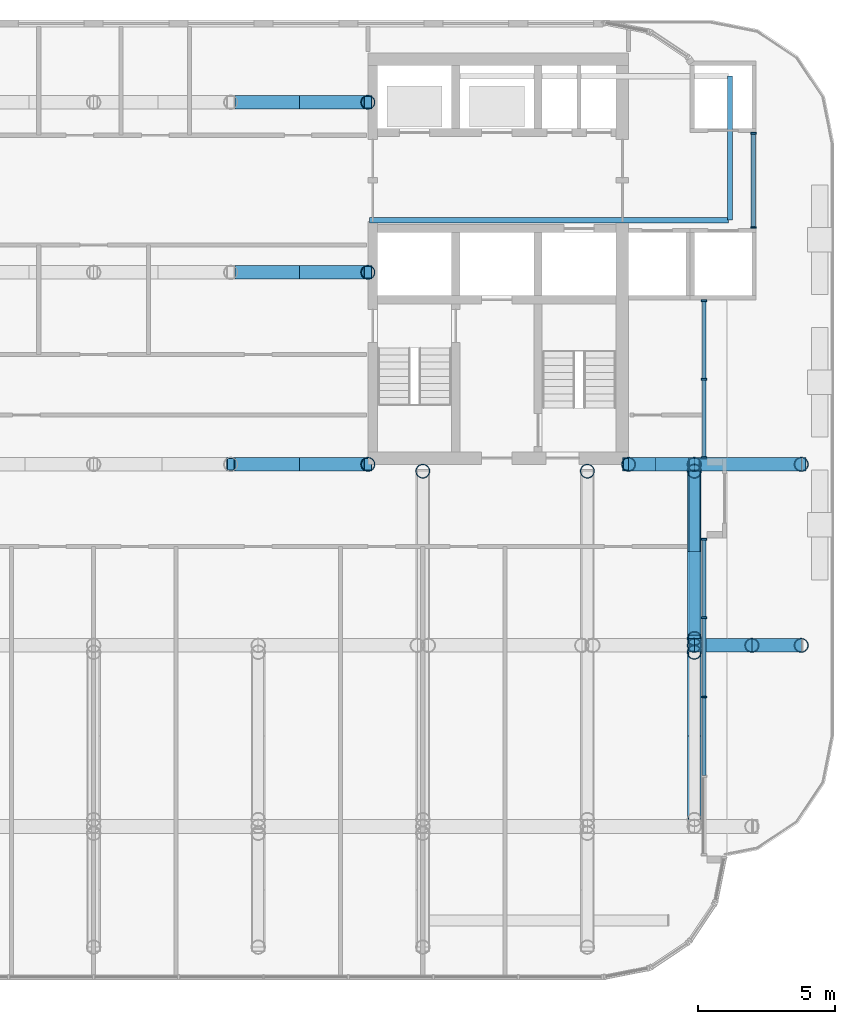
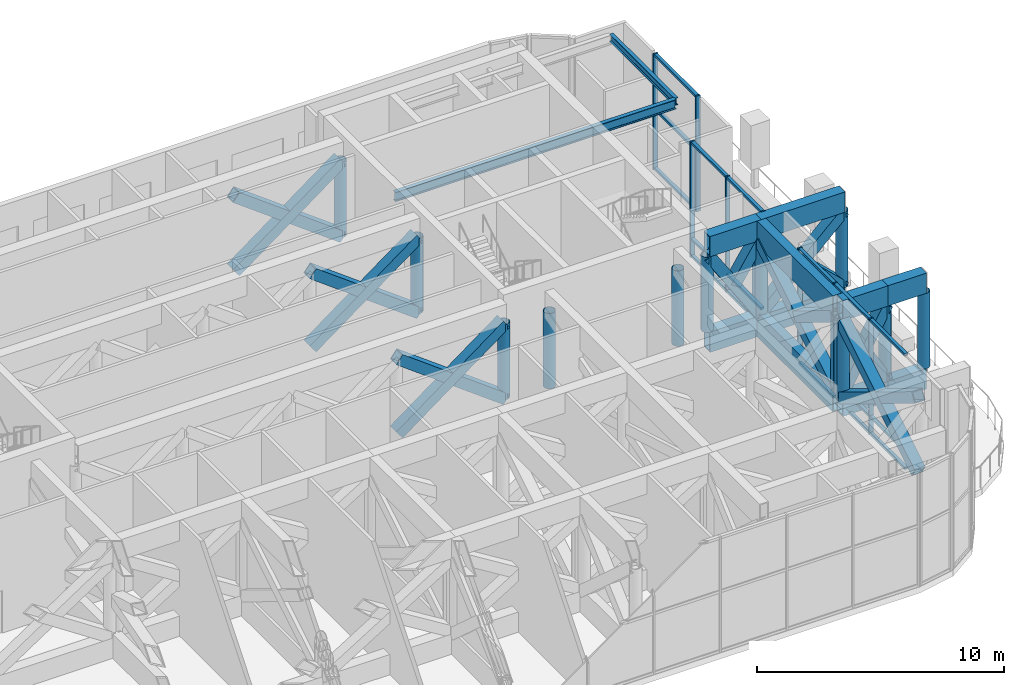
# One storey, part 6 of 21: 56 members, 12 beams, 3 elements without a shape of their own.
"""IFC4 building model written with IfcOpenShell, lengths in metres."""

from ifc_helpers import new_model, si_unit, direction, frame, origin, origin_2d, place, context, subcontext, project, spatial, rectangle, hollow_rectangle, hollow_circle, i_section, extrude, material, layer, layer_set, material_profile, profile_set, type_object, element, aggregate, save


model = new_model("IFC4")

# Units and contexts
model_context = context("Model", 3, precision=1e-05, world=origin(), true_north=direction((0.0, 1.0)))
body_context = subcontext(model_context, "Body", "Model", "MODEL_VIEW")
ifc_project = project(units=[si_unit("LENGTHUNIT", "METRE"), si_unit("AREAUNIT", "SQUARE_METRE"), si_unit("VOLUMEUNIT", "CUBIC_METRE"), si_unit("PLANEANGLEUNIT", "RADIAN"), si_unit("MASSUNIT", "GRAM", prefix="KILO")], contexts=[model_context])

# Site, building, storey
site_placement = place(None, origin())
site = spatial("IfcSite", under=ifc_project, at=site_placement, CompositionType="ELEMENT")
building_placement = place(site_placement, origin())
building = spatial("IfcBuilding", under=site, at=building_placement, Name="Torana Hotel and Residences", CompositionType="ELEMENT")
storey_placement = place(building_placement, frame((0.0, 0.0, 246.60009765625)))
storey = spatial("IfcBuildingStorey", under=building, at=storey_placement, Name="L65", CompositionType="ELEMENT", Elevation=246.60009765625)

# Beams
ifc_material_1 = material(Name="Steel S355", Category="steel")
ifc_material_profile_1 = material_profile(ifc_material_1, i_section(OverallWidth=0.19287109375, OverallDepth=0.46728515625, WebThickness=0.011474609375, FlangeThickness=0.01953125, FilletRadius=0.01025390625, at=origin_2d()), Name="457x191x98 UB")
ifc_profile_set_1 = profile_set([ifc_material_profile_1], Name="Steel S355")
beam_type_1 = type_object("IfcBeamType", Name="BALCONY CANTILEVER BEAM 457x191x98 UB", PredefinedType="BEAM", material=ifc_profile_set_1)
beam_1_placement = place(storey_placement, frame((23.1484375, -6.10009765625, 5.486328125), z_axis=(-1.0, 0.0, 0.0), x_axis=(0.0, -1.0, 0.0)))
element("IfcBeam", 1, at=beam_1_placement, inside=storey, type_object=beam_type_1, Name="Balcony cantilever beam", PredefinedType="BEAM", context=body_context, shape_type="SweptSolid", body=[
    extrude(i_section(OverallWidth=0.19287109375, OverallDepth=0.46728515625, WebThickness=0.011474609375, FlangeThickness=0.01953125, FilletRadius=0.01025390625, at=origin_2d()), origin(), (0.0, 0.0, 1.0), 13.098388671875),
])
ifc_material_2 = material(Name="Steel S355", Category="steel")
ifc_material_profile_2 = material_profile(ifc_material_2, i_section(OverallWidth=0.173095703125, OverallDepth=0.36328125, WebThickness=0.009033203125, FlangeThickness=0.015625, FilletRadius=0.01025390625, at=origin_2d()), Name="356x171x67 UB")
ifc_profile_set_2 = profile_set([ifc_material_profile_2], Name="Steel S355")
beam_type_2 = type_object("IfcBeamType", Name="BALCONY TIP BEAM 356x171x67 UB", PredefinedType="BEAM", material=ifc_profile_set_2)
beam_2_placement = place(storey_placement, frame((23.205078125, -6.10009765625, 5.5380859375), z_axis=(0.0, 1.0, 0.0), x_axis=(-1.0, 0.0, 0.0)))
element("IfcBeam", 2, at=beam_2_placement, inside=storey, type_object=beam_type_2, Name="Balcony tip beam", PredefinedType="BEAM", context=body_context, shape_type="SweptSolid", body=[
    extrude(i_section(OverallWidth=0.173095703125, OverallDepth=0.36328125, WebThickness=0.009033203125, FlangeThickness=0.015625, FilletRadius=0.01025390625, at=origin_2d()), origin(), (0.0, 0.0, 1.0), 5.25),
])

# Curtain wall, members
ifc_material_3 = material(Name="Dark anodised aluminium", Category="aluminium")
ifc_layer = layer(ifc_material_3, 0.199951171875)
ifc_layer_set = layer_set([ifc_layer], Name="CW2 SKY LOBBY UNITISED CURTAIN WALL")
curtain_wall_type = type_object("IfcCurtainWallType", Name="CW2 SKY LOBBY UNITISED CURTAIN WALL", PredefinedType="NOTDEFINED", material=ifc_layer_set)
curtain_wall_1_placement = place(storey_placement, origin())
curtain_wall_1 = element("IfcCurtainWall", 3, at=curtain_wall_1_placement, inside=storey, type_object=curtain_wall_type, Name="Curtain wall CW2 L65 e0.14-1", PredefinedType="NOTDEFINED")
ifc_material_4 = material(Name="Dark anodised aluminium", Category="aluminium")
ifc_material_profile_3 = material_profile(ifc_material_4, rectangle(XDim=0.199951171875, YDim=0.070068359375, at=origin_2d()), Name="CW2 MULLION 70x200")
ifc_profile_set_3 = profile_set([ifc_material_profile_3], Name="Dark anodised aluminium")
member_type_1 = type_object("IfcMemberType", Name="CW2 MULLION 70x200", PredefinedType="MULLION", material=ifc_profile_set_3)
member_1_placement = place(storey_placement, frame((22.2548828125, -23.482421875, 0.0), z_axis=(0.0, 0.0, 1.0), x_axis=(-1.0, 0.0, 0.0)))
member_1 = element("IfcMember", 4, at=member_1_placement, type_object=member_type_1, Name="CW2 mullion 3", PredefinedType="MULLION", context=body_context, shape_type="SweptSolid", body=[
    extrude(rectangle(XDim=0.199951171875, YDim=0.070068359375, at=origin_2d()), origin(), (0.0, 0.0, 1.0), 5.719970703125),
])
member_2_placement = place(storey_placement, frame((22.2548828125, -20.5859375, 0.0), z_axis=(0.0, 0.0, 1.0), x_axis=(-1.0, 0.0, 0.0)))
member_2 = element("IfcMember", 5, at=member_2_placement, type_object=member_type_1, Name="CW2 mullion 4", PredefinedType="MULLION", context=body_context, shape_type="SweptSolid", body=[
    extrude(rectangle(XDim=0.199951171875, YDim=0.070068359375, at=origin_2d()), origin(), (0.0, 0.0, 1.0), 5.719970703125),
])
member_3_placement = place(storey_placement, frame((22.2548828125, -17.724365234375, 0.0), z_axis=(0.0, 0.0, 1.0), x_axis=(-1.0, 0.0, 0.0)))
member_3 = element("IfcMember", 6, at=member_3_placement, type_object=member_type_1, Name="CW2 mullion 5", PredefinedType="MULLION", context=body_context, shape_type="SweptSolid", body=[
    extrude(rectangle(XDim=0.199951171875, YDim=0.070068359375, at=origin_2d()), origin(), (0.0, 0.0, 1.0), 5.719970703125),
])

curtain_wall_2_placement = place(storey_placement, origin())
curtain_wall_2 = element("IfcCurtainWall", 7, at=curtain_wall_2_placement, inside=storey, type_object=curtain_wall_type, Name="Curtain wall CW2 L65 e0.14-2", PredefinedType="NOTDEFINED")
member_4_placement = place(storey_placement, frame((22.2548828125, -14.758056640625, 0.0), z_axis=(0.0, 0.0, 1.0), x_axis=(-1.0, 0.0, 0.0)))
member_4 = element("IfcMember", 8, at=member_4_placement, type_object=member_type_1, Name="CW2 mullion 1", PredefinedType="MULLION", context=body_context, shape_type="SweptSolid", body=[
    extrude(rectangle(XDim=0.199951171875, YDim=0.070068359375, at=origin_2d()), origin(), (0.0, 0.0, 1.0), 5.719970703125),
])
member_5_placement = place(storey_placement, frame((22.2548828125, -11.896484375, 0.0), z_axis=(0.0, 0.0, 1.0), x_axis=(-1.0, 0.0, 0.0)))
member_5 = element("IfcMember", 9, at=member_5_placement, type_object=member_type_1, Name="CW2 mullion 2", PredefinedType="MULLION", context=body_context, shape_type="SweptSolid", body=[
    extrude(rectangle(XDim=0.199951171875, YDim=0.070068359375, at=origin_2d()), origin(), (0.0, 0.0, 1.0), 5.719970703125),
])
member_6_placement = place(storey_placement, frame((22.2548828125, -9.034912109375, 0.0), z_axis=(0.0, 0.0, 1.0), x_axis=(-1.0, 0.0, 0.0)))
member_6 = element("IfcMember", 10, at=member_6_placement, type_object=member_type_1, Name="CW2 mullion 3", PredefinedType="MULLION", context=body_context, shape_type="SweptSolid", body=[
    extrude(rectangle(XDim=0.199951171875, YDim=0.070068359375, at=origin_2d()), origin(), (0.0, 0.0, 1.0), 5.719970703125),
])

curtain_wall_3_placement = place(storey_placement, origin())
curtain_wall_3 = element("IfcCurtainWall", 11, at=curtain_wall_3_placement, inside=storey, type_object=curtain_wall_type, Name="Curtain wall CW2 L65 e0.16", PredefinedType="NOTDEFINED")
member_7_placement = place(storey_placement, frame((24.050048828125, -6.364990234375, 0.0), z_axis=(0.0, 0.0, 1.0), x_axis=(-1.0, 0.0, 0.0)))
member_7 = element("IfcMember", 12, at=member_7_placement, type_object=member_type_1, Name="CW2 mullion 1", PredefinedType="MULLION", context=body_context, shape_type="SweptSolid", body=[
    extrude(rectangle(XDim=0.199951171875, YDim=0.070068359375, at=origin_2d()), origin(), (0.0, 0.0, 1.0), 5.719970703125),
])
member_8_placement = place(storey_placement, frame((24.050048828125, -2.93505859375, 0.0), z_axis=(0.0, 0.0, 1.0), x_axis=(-1.0, 0.0, 0.0)))
member_8 = element("IfcMember", 13, at=member_8_placement, type_object=member_type_1, Name="CW2 mullion 2", PredefinedType="MULLION", context=body_context, shape_type="SweptSolid", body=[
    extrude(rectangle(XDim=0.199951171875, YDim=0.070068359375, at=origin_2d()), origin(), (0.0, 0.0, 1.0), 5.719970703125),
])

# Member
ifc_material_5 = material(Name="Dark anodised aluminium", Category="aluminium")
ifc_material_profile_4 = material_profile(ifc_material_5, rectangle(XDim=0.14990234375, YDim=0.1201171875, at=origin_2d()), Name="CW2 TRANSOM 150x120")
ifc_profile_set_4 = profile_set([ifc_material_profile_4], Name="Dark anodised aluminium")
member_type_2 = type_object("IfcMemberType", Name="CW2 TRANSOM 150x120", PredefinedType="USERDEFINED", material=ifc_profile_set_4)
member_9_placement = place(storey_placement, frame((22.2548828125, -26.343994140625, 0.059814453125), z_axis=(0.0, 1.0, 0.0), x_axis=(-1.0, 0.0, 0.0)))
member_9 = element("IfcMember", 14, at=member_9_placement, type_object=member_type_2, Name="CW2 transom 2.1", ObjectType="TRANSOM", PredefinedType="USERDEFINED", context=body_context, shape_type="SweptSolid", body=[
    extrude(rectangle(XDim=0.14990234375, YDim=0.1201171875, at=origin_2d()), origin(), (0.0, 0.0, 1.0), 2.82666015625),
])

member_10_placement = place(storey_placement, frame((22.2548828125, -26.343994140625, 0.89990234375), z_axis=(0.0, 1.0, 0.0), x_axis=(-1.0, 0.0, 0.0)))
member_10 = element("IfcMember", 15, at=member_10_placement, type_object=member_type_2, Name="CW2 transom 2.2", ObjectType="TRANSOM", PredefinedType="USERDEFINED", context=body_context, shape_type="SweptSolid", body=[
    extrude(rectangle(XDim=0.14990234375, YDim=0.1201171875, at=origin_2d()), origin(), (0.0, 0.0, 1.0), 2.82666015625),
])

member_11_placement = place(storey_placement, frame((22.2548828125, -26.343994140625, 5.659912109375), z_axis=(0.0, 1.0, 0.0), x_axis=(-1.0, 0.0, 0.0)))
member_11 = element("IfcMember", 16, at=member_11_placement, type_object=member_type_2, Name="CW2 transom 2.3", ObjectType="TRANSOM", PredefinedType="USERDEFINED", context=body_context, shape_type="SweptSolid", body=[
    extrude(rectangle(XDim=0.14990234375, YDim=0.1201171875, at=origin_2d()), origin(), (0.0, 0.0, 1.0), 2.82666015625),
])

member_12_placement = place(storey_placement, frame((22.2548828125, -23.447509765625, 0.059814453125), z_axis=(0.0, 1.0, 0.0), x_axis=(-1.0, 0.0, 0.0)))
member_12 = element("IfcMember", 17, at=member_12_placement, type_object=member_type_2, Name="CW2 transom 3.1", ObjectType="TRANSOM", PredefinedType="USERDEFINED", context=body_context, shape_type="SweptSolid", body=[
    extrude(rectangle(XDim=0.14990234375, YDim=0.1201171875, at=origin_2d()), origin(), (0.0, 0.0, 1.0), 2.82666015625),
])

member_13_placement = place(storey_placement, frame((22.2548828125, -23.447509765625, 0.89990234375), z_axis=(0.0, 1.0, 0.0), x_axis=(-1.0, 0.0, 0.0)))
member_13 = element("IfcMember", 18, at=member_13_placement, type_object=member_type_2, Name="CW2 transom 3.2", ObjectType="TRANSOM", PredefinedType="USERDEFINED", context=body_context, shape_type="SweptSolid", body=[
    extrude(rectangle(XDim=0.14990234375, YDim=0.1201171875, at=origin_2d()), origin(), (0.0, 0.0, 1.0), 2.82666015625),
])

member_14_placement = place(storey_placement, frame((22.2548828125, -23.447509765625, 5.659912109375), z_axis=(0.0, 1.0, 0.0), x_axis=(-1.0, 0.0, 0.0)))
member_14 = element("IfcMember", 19, at=member_14_placement, type_object=member_type_2, Name="CW2 transom 3.3", ObjectType="TRANSOM", PredefinedType="USERDEFINED", context=body_context, shape_type="SweptSolid", body=[
    extrude(rectangle(XDim=0.14990234375, YDim=0.1201171875, at=origin_2d()), origin(), (0.0, 0.0, 1.0), 2.82666015625),
])

member_15_placement = place(storey_placement, frame((22.2548828125, -20.55078125, 0.059814453125), z_axis=(0.0, 1.0, 0.0), x_axis=(-1.0, 0.0, 0.0)))
member_15 = element("IfcMember", 20, at=member_15_placement, type_object=member_type_2, Name="CW2 transom 4.1", ObjectType="TRANSOM", PredefinedType="USERDEFINED", context=body_context, shape_type="SweptSolid", body=[
    extrude(rectangle(XDim=0.14990234375, YDim=0.1201171875, at=origin_2d()), origin(), (0.0, 0.0, 1.0), 2.791259765625),
])

member_16_placement = place(storey_placement, frame((22.2548828125, -20.55078125, 0.89990234375), z_axis=(0.0, 1.0, 0.0), x_axis=(-1.0, 0.0, 0.0)))
member_16 = element("IfcMember", 21, at=member_16_placement, type_object=member_type_2, Name="CW2 transom 4.2", ObjectType="TRANSOM", PredefinedType="USERDEFINED", context=body_context, shape_type="SweptSolid", body=[
    extrude(rectangle(XDim=0.14990234375, YDim=0.1201171875, at=origin_2d()), origin(), (0.0, 0.0, 1.0), 2.791259765625),
])

member_17_placement = place(storey_placement, frame((22.2548828125, -20.55078125, 5.659912109375), z_axis=(0.0, 1.0, 0.0), x_axis=(-1.0, 0.0, 0.0)))
member_17 = element("IfcMember", 22, at=member_17_placement, type_object=member_type_2, Name="CW2 transom 4.3", ObjectType="TRANSOM", PredefinedType="USERDEFINED", context=body_context, shape_type="SweptSolid", body=[
    extrude(rectangle(XDim=0.14990234375, YDim=0.1201171875, at=origin_2d()), origin(), (0.0, 0.0, 1.0), 2.791259765625),
])

aggregate(curtain_wall_1, [member_1, member_2, member_3, member_9, member_10, member_11, member_12, member_13, member_14, member_15, member_16, member_17])

member_18_placement = place(storey_placement, frame((22.2548828125, -14.722900390625, 0.059814453125), z_axis=(0.0, 1.0, 0.0), x_axis=(-1.0, 0.0, 0.0)))
member_18 = element("IfcMember", 23, at=member_18_placement, type_object=member_type_2, Name="CW2 transom 1.1", ObjectType="TRANSOM", PredefinedType="USERDEFINED", context=body_context, shape_type="SweptSolid", body=[
    extrude(rectangle(XDim=0.14990234375, YDim=0.1201171875, at=origin_2d()), origin(), (0.0, 0.0, 1.0), 2.79150390625),
])

member_19_placement = place(storey_placement, frame((22.2548828125, -14.722900390625, 0.89990234375), z_axis=(0.0, 1.0, 0.0), x_axis=(-1.0, 0.0, 0.0)))
member_19 = element("IfcMember", 24, at=member_19_placement, type_object=member_type_2, Name="CW2 transom 1.2", ObjectType="TRANSOM", PredefinedType="USERDEFINED", context=body_context, shape_type="SweptSolid", body=[
    extrude(rectangle(XDim=0.14990234375, YDim=0.1201171875, at=origin_2d()), origin(), (0.0, 0.0, 1.0), 2.79150390625),
])

member_20_placement = place(storey_placement, frame((22.2548828125, -14.722900390625, 5.659912109375), z_axis=(0.0, 1.0, 0.0), x_axis=(-1.0, 0.0, 0.0)))
member_20 = element("IfcMember", 25, at=member_20_placement, type_object=member_type_2, Name="CW2 transom 1.3", ObjectType="TRANSOM", PredefinedType="USERDEFINED", context=body_context, shape_type="SweptSolid", body=[
    extrude(rectangle(XDim=0.14990234375, YDim=0.1201171875, at=origin_2d()), origin(), (0.0, 0.0, 1.0), 2.79150390625),
])

member_21_placement = place(storey_placement, frame((22.2548828125, -11.861572265625, 0.059814453125), z_axis=(0.0, 1.0, 0.0), x_axis=(-1.0, 0.0, 0.0)))
member_21 = element("IfcMember", 26, at=member_21_placement, type_object=member_type_2, Name="CW2 transom 2.1", ObjectType="TRANSOM", PredefinedType="USERDEFINED", context=body_context, shape_type="SweptSolid", body=[
    extrude(rectangle(XDim=0.14990234375, YDim=0.1201171875, at=origin_2d()), origin(), (0.0, 0.0, 1.0), 2.79150390625),
])

member_22_placement = place(storey_placement, frame((22.2548828125, -11.861572265625, 0.89990234375), z_axis=(0.0, 1.0, 0.0), x_axis=(-1.0, 0.0, 0.0)))
member_22 = element("IfcMember", 27, at=member_22_placement, type_object=member_type_2, Name="CW2 transom 2.2", ObjectType="TRANSOM", PredefinedType="USERDEFINED", context=body_context, shape_type="SweptSolid", body=[
    extrude(rectangle(XDim=0.14990234375, YDim=0.1201171875, at=origin_2d()), origin(), (0.0, 0.0, 1.0), 2.79150390625),
])

member_23_placement = place(storey_placement, frame((22.2548828125, -11.861572265625, 5.659912109375), z_axis=(0.0, 1.0, 0.0), x_axis=(-1.0, 0.0, 0.0)))
member_23 = element("IfcMember", 28, at=member_23_placement, type_object=member_type_2, Name="CW2 transom 2.3", ObjectType="TRANSOM", PredefinedType="USERDEFINED", context=body_context, shape_type="SweptSolid", body=[
    extrude(rectangle(XDim=0.14990234375, YDim=0.1201171875, at=origin_2d()), origin(), (0.0, 0.0, 1.0), 2.79150390625),
])

aggregate(curtain_wall_2, [member_4, member_5, member_6, member_18, member_19, member_20, member_21, member_22, member_23])

member_24_placement = place(storey_placement, frame((24.050048828125, -6.330078125, 0.059814453125), z_axis=(0.0, 1.0, 0.0), x_axis=(-1.0, 0.0, 0.0)))
member_24 = element("IfcMember", 29, at=member_24_placement, type_object=member_type_2, Name="CW2 transom 1.1", ObjectType="TRANSOM", PredefinedType="USERDEFINED", context=body_context, shape_type="SweptSolid", body=[
    extrude(rectangle(XDim=0.14990234375, YDim=0.1201171875, at=origin_2d()), origin(), (0.0, 0.0, 1.0), 3.360107421875),
])

member_25_placement = place(storey_placement, frame((24.050048828125, -6.330078125, 3.0), z_axis=(0.0, 1.0, 0.0), x_axis=(-1.0, 0.0, 0.0)))
member_25 = element("IfcMember", 30, at=member_25_placement, type_object=member_type_2, Name="CW2 transom 1.2", ObjectType="TRANSOM", PredefinedType="USERDEFINED", context=body_context, shape_type="SweptSolid", body=[
    extrude(rectangle(XDim=0.14990234375, YDim=0.1201171875, at=origin_2d()), origin(), (0.0, 0.0, 1.0), 3.360107421875),
])

member_26_placement = place(storey_placement, frame((24.050048828125, -6.330078125, 5.659912109375), z_axis=(0.0, 1.0, 0.0), x_axis=(-1.0, 0.0, 0.0)))
member_26 = element("IfcMember", 31, at=member_26_placement, type_object=member_type_2, Name="CW2 transom 1.3", ObjectType="TRANSOM", PredefinedType="USERDEFINED", context=body_context, shape_type="SweptSolid", body=[
    extrude(rectangle(XDim=0.14990234375, YDim=0.1201171875, at=origin_2d()), origin(), (0.0, 0.0, 1.0), 3.360107421875),
])

aggregate(curtain_wall_3, [member_7, member_8, member_24, member_25, member_26])

# Beams
ifc_material_6 = material(Name="Steel S355", Category="steel")
ifc_material_profile_5 = material_profile(ifc_material_6, hollow_rectangle(XDim=0.5, YDim=1.0, WallThickness=0.050048828125, at=origin_2d()), Name="BOX 1000x500x50")
ifc_profile_set_5 = profile_set([ifc_material_profile_5], Name="Steel S355")
beam_type_3 = type_object("IfcBeamType", Name="STEEL CHORD BOX 1000x500x50", PredefinedType="BEAM", material=ifc_profile_set_5)
for number, where, z_axis, x_axis, name in (
    (32, (21.89990234375, -21.60009765625, 0.5), (1.0, 0.0, 0.0), (0.0, 1.0, 0.0), "Transfer chord L65"),
    (33, (21.89990234375, -21.60009765625, 5.219970703125), (1.0, 0.0, 0.0), (0.0, 1.0, 0.0), "Transfer chord L65"),
):
    element("IfcBeam", number, at=place(storey_placement, frame(where, z_axis=z_axis, x_axis=x_axis)), inside=storey, type_object=beam_type_3, Name=name, PredefinedType="BEAM", context=body_context, shape_type="SweptSolid", body=[
        extrude(hollow_rectangle(XDim=0.5, YDim=1.0, WallThickness=0.050048828125, at=origin_2d()), origin(), (0.0, 0.0, 1.0), 2.10009765625),
    ])
for number, where, z_axis, x_axis, name in (
    (34, (24.0, -21.60009765625, 0.5), (1.0, 0.0, 0.0), (0.0, 1.0, 0.0), "Transfer chord L65"),
    (35, (24.0, -21.60009765625, 5.219970703125), (1.0, 0.0, 0.0), (0.0, 1.0, 0.0), "Transfer chord L65"),
):
    element("IfcBeam", number, at=place(storey_placement, frame(where, z_axis=z_axis, x_axis=x_axis)), inside=storey, type_object=beam_type_3, Name=name, PredefinedType="BEAM", context=body_context, shape_type="SweptSolid", body=[
        extrude(hollow_rectangle(XDim=0.5, YDim=1.0, WallThickness=0.050048828125, at=origin_2d()), origin(), (0.0, 0.0, 1.0), 1.800048828125),
    ])
for number, where, z_axis, x_axis, name in (
    (36, (19.5, -15.0, 0.5), (1.0, 0.0, 0.0), (0.0, 1.0, 0.0), "Transfer chord L65"),
    (37, (19.5, -15.0, 5.219970703125), (1.0, 0.0, 0.0), (0.0, 1.0, 0.0), "Transfer chord L65"),
):
    element("IfcBeam", number, at=place(storey_placement, frame(where, z_axis=z_axis, x_axis=x_axis)), inside=storey, type_object=beam_type_3, Name=name, PredefinedType="BEAM", context=body_context, shape_type="SweptSolid", body=[
        extrude(hollow_rectangle(XDim=0.5, YDim=1.0, WallThickness=0.050048828125, at=origin_2d()), origin(), (0.0, 0.0, 1.0), 2.39990234375),
    ])
for number, where, z_axis, x_axis, name in (
    (38, (21.89990234375, -15.0, 0.5), (1.0, 0.0, 0.0), (0.0, 1.0, 0.0), "Transfer chord L65"),
    (39, (21.89990234375, -15.0, 5.219970703125), (1.0, 0.0, 0.0), (0.0, 1.0, 0.0), "Transfer chord L65"),
):
    element("IfcBeam", number, at=place(storey_placement, frame(where, z_axis=z_axis, x_axis=x_axis)), inside=storey, type_object=beam_type_3, Name=name, PredefinedType="BEAM", context=body_context, shape_type="SweptSolid", body=[
        extrude(hollow_rectangle(XDim=0.5, YDim=1.0, WallThickness=0.050048828125, at=origin_2d()), origin(), (0.0, 0.0, 1.0), 3.900146484375),
    ])
ifc_material_7 = material(Name="Steel S355", Category="steel")
ifc_material_profile_6 = material_profile(ifc_material_7, hollow_rectangle(XDim=0.39990234375, YDim=1.199951171875, WallThickness=0.0400390625, at=origin_2d()), Name="BOX 1200x400x40")
ifc_profile_set_6 = profile_set([ifc_material_profile_6], Name="Steel S355")
beam_type_4 = type_object("IfcBeamType", Name="STEEL CHORD BOX 1200x400x40", PredefinedType="BEAM", material=ifc_profile_set_6)
for number, where, z_axis, x_axis, name in (
    (40, (21.89990234375, -21.35009765625, 0.599853515625), (0.0, 1.0, 0.0), (-1.0, 0.0, 0.0), "Transfer chord L65"),
    (41, (21.89990234375, -21.35009765625, 5.119873046875), (0.0, 1.0, 0.0), (-1.0, 0.0, 0.0), "Transfer chord L65"),
):
    element("IfcBeam", number, at=place(storey_placement, frame(where, z_axis=z_axis, x_axis=x_axis)), inside=storey, type_object=beam_type_4, Name=name, PredefinedType="BEAM", context=body_context, shape_type="SweptSolid", body=[
        extrude(hollow_rectangle(XDim=0.39990234375, YDim=1.199951171875, WallThickness=0.0400390625, at=origin_2d()), origin(), (0.0, 0.0, 1.0), 6.10009765625),
    ])

# Members
ifc_material_8 = material(Name="Steel S355", Category="steel")
ifc_material_profile_7 = material_profile(ifc_material_8, hollow_rectangle(XDim=0.5, YDim=0.5, WallThickness=0.0400390625, at=origin_2d()), Name="BOX 500x500x40")
ifc_profile_set_7 = profile_set([ifc_material_profile_7], Name="Steel S355")
member_type_3 = type_object("IfcMemberType", Name="STEEL DIAGONAL BOX 500x500x40", PredefinedType="BRACE", material=ifc_profile_set_7)
for number, where, z_axis, x_axis, name in (
    (42, (5.0, -15.0, 1.0), (0.802306956603, 0.0, 0.596911674695), (0.0, 1.0, 0.0), "Truss diagonal L65"),
    (43, (10.0, -15.0, 1.0), (-0.802306956603, 0.0, 0.596911674695), (0.0, -1.0, 0.0), "Truss diagonal L65"),
    (44, (5.0, -8.0, 1.0), (0.802306956603, 0.0, 0.596911674695), (0.0, 1.0, 0.0), "Truss diagonal L65"),
    (45, (10.0, -8.0, 1.0), (-0.802306956603, 0.0, 0.596911674695), (0.0, -1.0, 0.0), "Truss diagonal L65"),
    (46, (5.0, -1.800048828125, 1.0), (0.802306956603, 0.0, 0.596911674695), (0.0, 1.0, 0.0), "Truss diagonal L65"),
    (47, (10.0, -1.800048828125, 1.0), (-0.802306956603, 0.0, 0.596911674695), (0.0, -1.0, 0.0), "Truss diagonal L65"),
):
    element("IfcMember", number, at=place(storey_placement, frame(where, z_axis=z_axis, x_axis=x_axis)), inside=storey, type_object=member_type_3, Name=name, PredefinedType="BRACE", context=body_context, shape_type="SweptSolid", body=[
        extrude(hollow_rectangle(XDim=0.5, YDim=0.5, WallThickness=0.0400390625, at=origin_2d()), origin(), (0.0, 0.0, 1.0), 6.23193359375),
    ])
for number, where, z_axis, x_axis, name in (
    (48, (21.89990234375, -21.60009765625, 1.0), (0.491614639726, 0.0, 0.87081286509), (0.0, 1.0, 0.0), "Truss diagonal L65"),
    (49, (24.0, -21.60009765625, 1.0), (-0.491614639726, 0.0, 0.87081286509), (0.0, -1.0, 0.0), "Truss diagonal L65"),
):
    element("IfcMember", number, at=place(storey_placement, frame(where, z_axis=z_axis, x_axis=x_axis)), inside=storey, type_object=member_type_3, Name=name, PredefinedType="BRACE", context=body_context, shape_type="SweptSolid", body=[
        extrude(hollow_rectangle(XDim=0.5, YDim=0.5, WallThickness=0.0400390625, at=origin_2d()), origin(), (0.0, 0.0, 1.0), 4.271728515625),
    ])
member_27_placement = place(storey_placement, frame((20.699951171875, -15.0, 2.85986328125), z_axis=(0.542089186574, 0.0, 0.840320958801), x_axis=(0.0, 1.0, 0.0)))
element("IfcMember", 50, at=member_27_placement, inside=storey, type_object=member_type_3, Name="Truss diagonal L65", PredefinedType="BRACE", context=body_context, shape_type="SweptSolid", body=[
    extrude(hollow_rectangle(XDim=0.5, YDim=0.5, WallThickness=0.0400390625, at=origin_2d()), origin(), (0.0, 0.0, 1.0), 2.213623046875),
])
member_28_placement = place(storey_placement, frame((21.89990234375, -15.0, 1.0), z_axis=(-0.542114308278, 0.0, 0.840304752313), x_axis=(0.0, -1.0, 0.0)))
element("IfcMember", 51, at=member_28_placement, inside=storey, type_object=member_type_3, Name="Truss diagonal L65", PredefinedType="BRACE", context=body_context, shape_type="SweptSolid", body=[
    extrude(hollow_rectangle(XDim=0.5, YDim=0.5, WallThickness=0.0400390625, at=origin_2d()), origin(), (0.0, 0.0, 1.0), 4.427001953125),
])
for number, where, z_axis, x_axis, name in (
    (52, (21.89990234375, -15.0, 1.0), (0.723623894182, 0.0, 0.690194508648), (0.0, 1.0, 0.0), "Truss diagonal L65"),
    (53, (25.800048828125, -15.0, 1.0), (-0.723623894182, 0.0, 0.690194508648), (0.0, -1.0, 0.0), "Truss diagonal L65"),
):
    element("IfcMember", number, at=place(storey_placement, frame(where, z_axis=z_axis, x_axis=x_axis)), inside=storey, type_object=member_type_3, Name=name, PredefinedType="BRACE", context=body_context, shape_type="SweptSolid", body=[
        extrude(hollow_rectangle(XDim=0.5, YDim=0.5, WallThickness=0.0400390625, at=origin_2d()), origin(), (0.0, 0.0, 1.0), 5.3896484375),
    ])
for number, where, z_axis, x_axis, name in (
    (54, (21.89990234375, -27.949951171875, 1.0), (0.0, 0.853762091888, 0.520663317755), (-1.0, 0.0, 0.0), "Truss diagonal L65"),
    (55, (21.89990234375, -21.85009765625, 1.0), (0.0, -0.853762091888, 0.520663317755), (1.0, 0.0, 0.0), "Truss diagonal L65"),
    (56, (21.89990234375, -21.35009765625, 1.0), (0.0, 0.853771354905, 0.520648128339), (-1.0, 0.0, 0.0), "Truss diagonal L65"),
):
    element("IfcMember", number, at=place(storey_placement, frame(where, z_axis=z_axis, x_axis=x_axis)), inside=storey, type_object=member_type_3, Name=name, PredefinedType="BRACE", context=body_context, shape_type="SweptSolid", body=[
        extrude(hollow_rectangle(XDim=0.5, YDim=0.5, WallThickness=0.0400390625, at=origin_2d()), origin(), (0.0, 0.0, 1.0), 7.144775390625),
    ])
member_29_placement = place(storey_placement, frame((21.89990234375, -18.300048828125, 2.85986328125), z_axis=(0.0, -0.853756165758, 0.520673035052), x_axis=(1.0, 0.0, 0.0)))
element("IfcMember", 57, at=member_29_placement, inside=storey, type_object=member_type_3, Name="Truss diagonal L65", PredefinedType="BRACE", context=body_context, shape_type="SweptSolid", body=[
    extrude(hollow_rectangle(XDim=0.5, YDim=0.5, WallThickness=0.0400390625, at=origin_2d()), origin(), (0.0, 0.0, 1.0), 3.572509765625),
])
ifc_material_9 = material(Name="Steel S355", Category="steel")
ifc_material_profile_8 = material_profile(ifc_material_9, hollow_circle(Radius=0.25390625, WallThickness=0.01611328125, at=origin_2d()), Name="508x16 CHS")
ifc_profile_set_8 = profile_set([ifc_material_profile_8], Name="Steel S355")
member_type_4 = type_object("IfcMemberType", Name="STEEL POST 508x16 CHS", PredefinedType="POST", material=ifc_profile_set_8)
for number, where, z_axis, x_axis, name in (
    (58, (21.89990234375, -21.60009765625, 1.0), (0.0, 0.0, 1.0), (1.0, 0.0, 0.0), "Truss post L65"),
    (59, (24.0, -21.60009765625, 1.0), (0.0, 0.0, 1.0), (1.0, 0.0, 0.0), "Truss post L65"),
    (60, (25.800048828125, -21.60009765625, 1.0), (0.0, 0.0, 1.0), (1.0, 0.0, 0.0), "Truss post L65"),
    (61, (19.5, -15.0, 1.0), (0.0, 0.0, 1.0), (1.0, 0.0, 0.0), "Truss post L65"),
    (62, (21.89990234375, -15.0, 1.0), (0.0, 0.0, 1.0), (1.0, 0.0, 0.0), "Truss post L65"),
    (63, (25.800048828125, -15.0, 1.0), (0.0, 0.0, 1.0), (1.0, 0.0, 0.0), "Truss post L65"),
    (64, (12.0, -15.25, 1.0), (0.0, 0.0, 1.0), (1.0, 0.0, 0.0), "Truss post L65"),
    (65, (18.0, -15.25, 1.0), (0.0, 0.0, 1.0), (1.0, 0.0, 0.0), "Truss post L65"),
    (66, (21.89990234375, -21.85009765625, 1.0), (0.0, 0.0, 1.0), (1.0, 0.0, 0.0), "Truss post L65"),
    (67, (21.89990234375, -21.35009765625, 1.0), (0.0, 0.0, 1.0), (1.0, 0.0, 0.0), "Truss post L65"),
    (68, (21.89990234375, -15.25, 1.0), (0.0, 0.0, 1.0), (1.0, 0.0, 0.0), "Truss post L65"),
    (69, (10.0, -15.0, 1.0), (0.0, 0.0, 1.0), (1.0, 0.0, 0.0), "Truss post L65"),
    (70, (10.0, -8.0, 1.0), (0.0, 0.0, 1.0), (1.0, 0.0, 0.0), "Truss post L65"),
    (71, (10.0, -1.800048828125, 1.0), (0.0, 0.0, 1.0), (1.0, 0.0, 0.0), "Truss post L65"),
):
    element("IfcMember", number, at=place(storey_placement, frame(where, z_axis=z_axis, x_axis=x_axis)), inside=storey, type_object=member_type_4, Name=name, PredefinedType="POST", context=body_context, shape_type="SweptSolid", body=[
        extrude(hollow_circle(Radius=0.25390625, WallThickness=0.01611328125, at=origin_2d()), origin(), (0.0, 0.0, 1.0), 3.719970703125),
    ])

save(model, "model.ifc")
